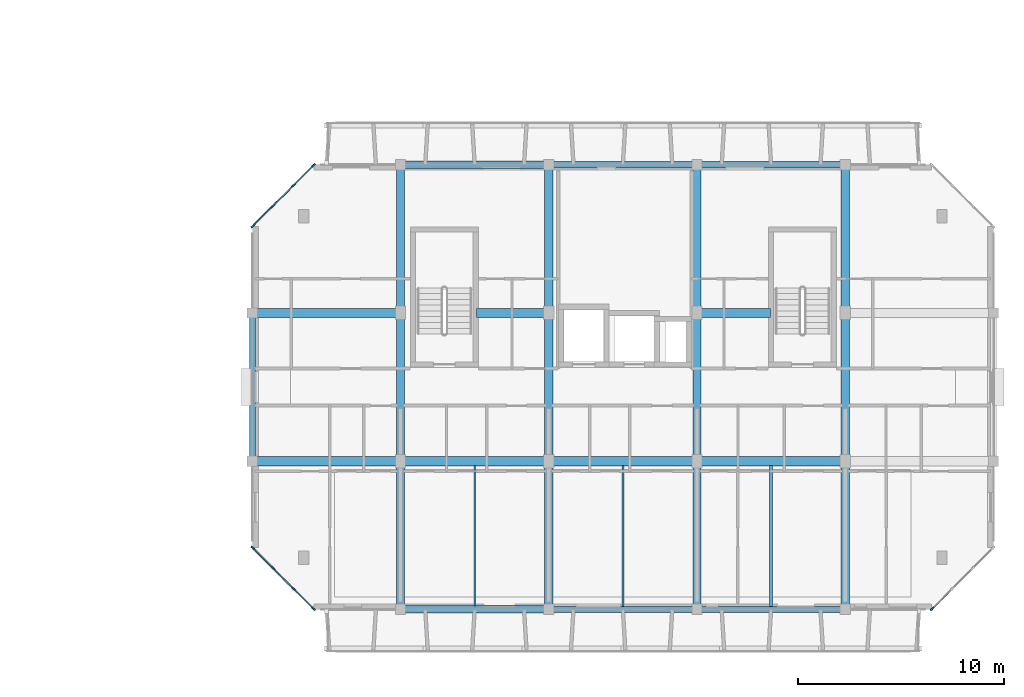
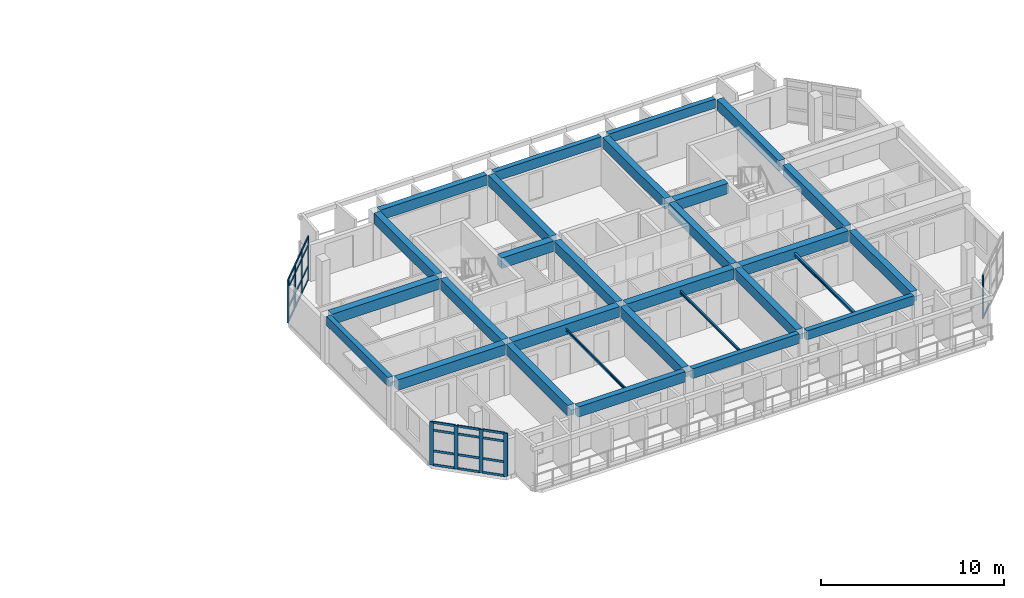
# One storey, part 7 of 46: 34 members, 29 beams, 3 elements without a shape of their own.
"""IFC4 building model written with IfcOpenShell, lengths in metres."""

from ifc_helpers import new_model, si_unit, direction, frame, origin, origin_2d, place, context, subcontext, project, spatial, rectangle, i_section, u_section, extrude, material, layer, layer_set, material_profile, profile_set, type_object, element, aggregate, save


model = new_model("IFC4")

# Units and contexts
model_context = context("Model", 3, precision=1e-05, world=origin(), true_north=direction((0.0, 1.0)))
body_context = subcontext(model_context, "Body", "Model", "MODEL_VIEW")
ifc_project = project(units=[si_unit("LENGTHUNIT", "METRE"), si_unit("AREAUNIT", "SQUARE_METRE"), si_unit("VOLUMEUNIT", "CUBIC_METRE"), si_unit("PLANEANGLEUNIT", "RADIAN"), si_unit("MASSUNIT", "GRAM", prefix="KILO")], contexts=[model_context])

# Site, building, storey
site_placement = place(None, origin())
site = spatial("IfcSite", under=ifc_project, at=site_placement, CompositionType="ELEMENT")
building_placement = place(site_placement, origin())
building = spatial("IfcBuilding", under=site, at=building_placement, Name="Ochrevale Crest", CompositionType="ELEMENT")
storey_placement = place(building_placement, frame((0.0, 0.0, 24.449951171875)))
storey = spatial("IfcBuildingStorey", under=building, at=storey_placement, Name="L07", CompositionType="ELEMENT", Elevation=24.449951171875)

# Beams
ifc_material_1 = material(Name="Precast concrete C50/60", Category="concrete")
ifc_material_profile_1 = material_profile(ifc_material_1, rectangle(XDim=0.39990234375, YDim=0.699951171875, at=origin_2d()), Name="PC 400x700")
ifc_profile_set_1 = profile_set([ifc_material_profile_1], Name="Precast concrete C50/60")
beam_type_1 = type_object("IfcBeamType", Name="BM-PC400x700", PredefinedType="BEAM", material=ifc_profile_set_1)
beam_1_placement = place(storey_placement, frame((136.800048828125, 14.6298828125, 2.800048828125), z_axis=(0.0, 1.0, 0.0), x_axis=(-1.0, 0.0, 0.0)))
element("IfcBeam", 1, at=beam_1_placement, inside=storey, type_object=beam_type_1, Name="Block C L07 N-S beam X=136.8", PredefinedType="BEAM", context=body_context, shape_type="SweptSolid", body=[
    extrude(rectangle(XDim=0.39990234375, YDim=0.699951171875, at=origin_2d()), origin(), (0.0, 0.0, 1.0), 6.740234375),
])
for number, where, z_axis, x_axis, name in (
    (2, (136.800048828125, 21.830078125, 2.800048828125), (0.0, 1.0, 0.0), (-1.0, 0.0, 0.0), "Block C L07 N-S beam X=136.8"),
    (3, (136.800048828125, 29.030029296875, 2.800048828125), (0.0, 1.0, 0.0), (-1.0, 0.0, 0.0), "Block C L07 N-S beam X=136.8"),
):
    element("IfcBeam", number, at=place(storey_placement, frame(where, z_axis=z_axis, x_axis=x_axis)), inside=storey, type_object=beam_type_1, Name=name, PredefinedType="BEAM", context=body_context, shape_type="SweptSolid", body=[
        extrude(rectangle(XDim=0.39990234375, YDim=0.699951171875, at=origin_2d()), origin(), (0.0, 0.0, 1.0), 6.739990234375),
    ])
beam_2_placement = place(storey_placement, frame((144.0, 14.6298828125, 2.800048828125), z_axis=(0.0, 1.0, 0.0), x_axis=(-1.0, 0.0, 0.0)))
element("IfcBeam", 4, at=beam_2_placement, inside=storey, type_object=beam_type_1, Name="Block C L07 N-S beam X=144.0", PredefinedType="BEAM", context=body_context, shape_type="SweptSolid", body=[
    extrude(rectangle(XDim=0.39990234375, YDim=0.699951171875, at=origin_2d()), origin(), (0.0, 0.0, 1.0), 6.740234375),
])
for number, where, z_axis, x_axis, name in (
    (5, (144.0, 21.830078125, 2.800048828125), (0.0, 1.0, 0.0), (-1.0, 0.0, 0.0), "Block C L07 N-S beam X=144.0"),
    (6, (144.0, 29.030029296875, 2.800048828125), (0.0, 1.0, 0.0), (-1.0, 0.0, 0.0), "Block C L07 N-S beam X=144.0"),
):
    element("IfcBeam", number, at=place(storey_placement, frame(where, z_axis=z_axis, x_axis=x_axis)), inside=storey, type_object=beam_type_1, Name=name, PredefinedType="BEAM", context=body_context, shape_type="SweptSolid", body=[
        extrude(rectangle(XDim=0.39990234375, YDim=0.699951171875, at=origin_2d()), origin(), (0.0, 0.0, 1.0), 6.739990234375),
    ])
beam_3_placement = place(storey_placement, frame((151.199951171875, 14.6298828125, 2.800048828125), z_axis=(0.0, 1.0, 0.0), x_axis=(-1.0, 0.0, 0.0)))
element("IfcBeam", 7, at=beam_3_placement, inside=storey, type_object=beam_type_1, Name="Block C L07 N-S beam X=151.2", PredefinedType="BEAM", context=body_context, shape_type="SweptSolid", body=[
    extrude(rectangle(XDim=0.39990234375, YDim=0.699951171875, at=origin_2d()), origin(), (0.0, 0.0, 1.0), 6.740234375),
])
for number, where, z_axis, x_axis, name in (
    (8, (151.199951171875, 21.830078125, 2.800048828125), (0.0, 1.0, 0.0), (-1.0, 0.0, 0.0), "Block C L07 N-S beam X=151.2"),
    (9, (151.199951171875, 29.030029296875, 2.800048828125), (0.0, 1.0, 0.0), (-1.0, 0.0, 0.0), "Block C L07 N-S beam X=151.2"),
):
    element("IfcBeam", number, at=place(storey_placement, frame(where, z_axis=z_axis, x_axis=x_axis)), inside=storey, type_object=beam_type_1, Name=name, PredefinedType="BEAM", context=body_context, shape_type="SweptSolid", body=[
        extrude(rectangle(XDim=0.39990234375, YDim=0.699951171875, at=origin_2d()), origin(), (0.0, 0.0, 1.0), 6.739990234375),
    ])
beam_4_placement = place(storey_placement, frame((158.39990234375, 14.6298828125, 2.800048828125), z_axis=(0.0, 1.0, 0.0), x_axis=(-1.0, 0.0, 0.0)))
element("IfcBeam", 10, at=beam_4_placement, inside=storey, type_object=beam_type_1, Name="Block C L07 N-S beam X=158.4", PredefinedType="BEAM", context=body_context, shape_type="SweptSolid", body=[
    extrude(rectangle(XDim=0.39990234375, YDim=0.699951171875, at=origin_2d()), origin(), (0.0, 0.0, 1.0), 6.740234375),
])
for number, where, z_axis, x_axis, name in (
    (11, (158.39990234375, 21.830078125, 2.800048828125), (0.0, 1.0, 0.0), (-1.0, 0.0, 0.0), "Block C L07 N-S beam X=158.4"),
    (12, (158.39990234375, 29.030029296875, 2.800048828125), (0.0, 1.0, 0.0), (-1.0, 0.0, 0.0), "Block C L07 N-S beam X=158.4"),
):
    element("IfcBeam", number, at=place(storey_placement, frame(where, z_axis=z_axis, x_axis=x_axis)), inside=storey, type_object=beam_type_1, Name=name, PredefinedType="BEAM", context=body_context, shape_type="SweptSolid", body=[
        extrude(rectangle(XDim=0.39990234375, YDim=0.699951171875, at=origin_2d()), origin(), (0.0, 0.0, 1.0), 6.739990234375),
    ])
ifc_material_2 = material(Name="Steel S355", Category="steel")
ifc_material_profile_2 = material_profile(ifc_material_2, u_section(Depth=0.199951171875, FlangeWidth=0.074951171875, WebThickness=0.006103515625, FlangeThickness=0.011962890625, FilletRadius=0.011962890625, at=origin_2d()), Name="200PFC")
ifc_profile_set_2 = profile_set([ifc_material_profile_2], Name="Steel S355")
beam_type_2 = type_object("IfcBeamType", Name="BM-PFC200", PredefinedType="JOIST", material=ifc_profile_set_2)
beam_5_placement = place(storey_placement, frame((140.39990234375, 14.56298828125, 2.775146484375), z_axis=(0.0, 1.0, 0.0), x_axis=(-1.0, 0.0, 0.0)))
element("IfcBeam", 13, at=beam_5_placement, inside=storey, type_object=beam_type_2, Name="Block C L07 composite plank trimmer beam 2", PredefinedType="JOIST", context=body_context, shape_type="SweptSolid", body=[
    extrude(u_section(Depth=0.199951171875, FlangeWidth=0.074951171875, WebThickness=0.006103515625, FlangeThickness=0.011962890625, FilletRadius=0.011962890625, at=origin_2d()), origin(), (0.0, 0.0, 1.0), 6.823974609375),
])
ifc_material_3 = material(Name="Concrete C50/60", Category="concrete")
ifc_material_profile_3 = material_profile(ifc_material_3, rectangle(XDim=0.449951171875, YDim=0.699951171875, at=origin_2d()), Name="RC 450x700")
ifc_profile_set_3 = profile_set([ifc_material_profile_3], Name="Concrete C50/60")
beam_type_3 = type_object("IfcBeamType", Name="BM-PG450x700", PredefinedType="USERDEFINED", material=ifc_profile_set_3)
for number, where, z_axis, x_axis, name in (
    (14, (129.824951171875, 21.60009765625, 2.800048828125), (1.0, 0.0, 0.0), (0.0, 1.0, 0.0), "Block C L07 E-W beam Y=21.6"),
    (15, (137.02490234375, 21.60009765625, 2.800048828125), (1.0, 0.0, 0.0), (0.0, 1.0, 0.0), "Block C L07 E-W beam Y=21.6"),
    (16, (144.22509765625, 21.60009765625, 2.800048828125), (1.0, 0.0, 0.0), (0.0, 1.0, 0.0), "Block C L07 E-W beam Y=21.6"),
    (17, (151.425048828125, 21.60009765625, 2.800048828125), (1.0, 0.0, 0.0), (0.0, 1.0, 0.0), "Block C L07 E-W beam Y=21.6"),
    (18, (129.824951171875, 28.800048828125, 2.800048828125), (1.0, 0.0, 0.0), (0.0, 1.0, 0.0), "Block C L07 E-W beam Y=28.8"),
):
    element("IfcBeam", number, at=place(storey_placement, frame(where, z_axis=z_axis, x_axis=x_axis)), inside=storey, type_object=beam_type_3, Name=name, ObjectType="GIRDER", PredefinedType="USERDEFINED", context=body_context, shape_type="SweptSolid", body=[
        extrude(rectangle(XDim=0.449951171875, YDim=0.699951171875, at=origin_2d()), origin(), (0.0, 0.0, 1.0), 6.75),
    ])
beam_6_placement = place(storey_placement, frame((140.489990234375, 28.800048828125, 2.800048828125), z_axis=(1.0, 0.0, 0.0), x_axis=(0.0, 1.0, 0.0)))
element("IfcBeam", 19, at=beam_6_placement, inside=storey, type_object=beam_type_3, Name="Block C L07 E-W beam Y=28.8", ObjectType="GIRDER", PredefinedType="USERDEFINED", context=body_context, shape_type="SweptSolid", body=[
    extrude(rectangle(XDim=0.449951171875, YDim=0.699951171875, at=origin_2d()), origin(), (0.0, 0.0, 1.0), 3.284912109375),
])
beam_7_placement = place(storey_placement, frame((151.425048828125, 28.800048828125, 2.800048828125), z_axis=(1.0, 0.0, 0.0), x_axis=(0.0, 1.0, 0.0)))
element("IfcBeam", 20, at=beam_7_placement, inside=storey, type_object=beam_type_3, Name="Block C L07 E-W beam Y=28.8", ObjectType="GIRDER", PredefinedType="USERDEFINED", context=body_context, shape_type="SweptSolid", body=[
    extrude(rectangle(XDim=0.449951171875, YDim=0.699951171875, at=origin_2d()), origin(), (0.0, 0.0, 1.0), 3.3349609375),
])
ifc_material_4 = material(Name="Precast concrete C40/50", Category="concrete")
ifc_material_profile_4 = material_profile(ifc_material_4, rectangle(XDim=0.300048828125, YDim=0.60009765625, at=origin_2d()), Name="PC 300x600")
ifc_profile_set_4 = profile_set([ifc_material_profile_4], Name="Precast concrete C40/50")
beam_type_4 = type_object("IfcBeamType", Name="BM-SP300x600", PredefinedType="SPANDREL", material=ifc_profile_set_4)
for number, where, z_axis, x_axis, name in (
    (21, (151.425048828125, 14.39990234375, 2.85009765625), (1.0, 0.0, 0.0), (0.0, 1.0, 0.0), "Block C L07 E-W beam Y=14.4"),
    (22, (151.425048828125, 36.0, 2.85009765625), (1.0, 0.0, 0.0), (0.0, 1.0, 0.0), "Block C L07 E-W beam Y=36.0"),
):
    element("IfcBeam", number, at=place(storey_placement, frame(where, z_axis=z_axis, x_axis=x_axis)), inside=storey, type_object=beam_type_4, Name=name, PredefinedType="SPANDREL", context=body_context, shape_type="SweptSolid", body=[
        extrude(rectangle(XDim=0.300048828125, YDim=0.60009765625, at=origin_2d()), origin(), (0.0, 0.0, 1.0), 6.75),
    ])
beam_8_placement = place(storey_placement, frame((129.60009765625, 21.830078125, 2.85009765625), z_axis=(0.0, 1.0, 0.0), x_axis=(-1.0, 0.0, 0.0)))
element("IfcBeam", 23, at=beam_8_placement, inside=storey, type_object=beam_type_4, Name="Block C L07 N-S beam X=129.6", PredefinedType="SPANDREL", context=body_context, shape_type="SweptSolid", body=[
    extrude(rectangle(XDim=0.300048828125, YDim=0.60009765625, at=origin_2d()), origin(), (0.0, 0.0, 1.0), 6.739990234375),
])
ifc_material_profile_5 = material_profile(ifc_material_4, rectangle(XDim=0.300048828125, YDim=0.64990234375, at=origin_2d()), Name="PC 300x650")
ifc_profile_set_5 = profile_set([ifc_material_profile_5], Name="Precast concrete C40/50")
beam_type_5 = type_object("IfcBeamType", Name="BM-SP300x650", PredefinedType="SPANDREL", material=ifc_profile_set_5)
for number, where, z_axis, x_axis, name in (
    (24, (144.22509765625, 14.39990234375, 2.824951171875), (1.0, 0.0, 0.0), (0.0, 1.0, 0.0), "Block C L07 E-W beam Y=14.4"),
    (25, (144.22509765625, 36.0, 2.824951171875), (1.0, 0.0, 0.0), (0.0, 1.0, 0.0), "Block C L07 E-W beam Y=36.0"),
):
    element("IfcBeam", number, at=place(storey_placement, frame(where, z_axis=z_axis, x_axis=x_axis)), inside=storey, type_object=beam_type_5, Name=name, PredefinedType="SPANDREL", context=body_context, shape_type="SweptSolid", body=[
        extrude(rectangle(XDim=0.300048828125, YDim=0.64990234375, at=origin_2d()), origin(), (0.0, 0.0, 1.0), 6.75),
    ])
ifc_material_profile_6 = material_profile(ifc_material_4, rectangle(XDim=0.35009765625, YDim=0.679931640625, at=origin_2d()), Name="PC 350x680")
ifc_profile_set_6 = profile_set([ifc_material_profile_6], Name="Precast concrete C40/50")
beam_type_6 = type_object("IfcBeamType", Name="BM-SP350x680", PredefinedType="SPANDREL", material=ifc_profile_set_6)
for number, where, z_axis, x_axis, name in (
    (26, (137.02490234375, 14.39990234375, 2.81005859375), (1.0, 0.0, 0.0), (0.0, 1.0, 0.0), "Block C L07 E-W beam Y=14.4"),
    (27, (137.02490234375, 36.0, 2.81005859375), (1.0, 0.0, 0.0), (0.0, 1.0, 0.0), "Block C L07 E-W beam Y=36.0"),
):
    element("IfcBeam", number, at=place(storey_placement, frame(where, z_axis=z_axis, x_axis=x_axis)), inside=storey, type_object=beam_type_6, Name=name, PredefinedType="SPANDREL", context=body_context, shape_type="SweptSolid", body=[
        extrude(rectangle(XDim=0.35009765625, YDim=0.679931640625, at=origin_2d()), origin(), (0.0, 0.0, 1.0), 6.75),
    ])
ifc_material_profile_7 = material_profile(ifc_material_2, i_section(OverallWidth=0.090087890625, OverallDepth=0.1787109375, WebThickness=0.006103515625, FlangeThickness=0.010009765625, FilletRadius=0.0087890625, at=origin_2d()), Name="180UB22.2")
ifc_profile_set_7 = profile_set([ifc_material_profile_7], Name="Steel S355")
beam_type_7 = type_object("IfcBeamType", Name="BM-UB180", PredefinedType="JOIST", material=ifc_profile_set_7)
beam_9_placement = place(storey_placement, frame((147.60009765625, 14.5380859375, 2.78564453125), z_axis=(0.0, 1.0, 0.0), x_axis=(-1.0, 0.0, 0.0)))
element("IfcBeam", 28, at=beam_9_placement, inside=storey, type_object=beam_type_7, Name="Block C L07 composite plank trimmer beam 3", PredefinedType="JOIST", context=body_context, shape_type="SweptSolid", body=[
    extrude(i_section(OverallWidth=0.090087890625, OverallDepth=0.1787109375, WebThickness=0.006103515625, FlangeThickness=0.010009765625, FilletRadius=0.0087890625, at=origin_2d()), origin(), (0.0, 0.0, 1.0), 6.848876953125),
])
ifc_material_profile_8 = material_profile(ifc_material_2, i_section(OverallWidth=0.13330078125, OverallDepth=0.203125, WebThickness=0.005859375, FlangeThickness=0.0078125, FilletRadius=0.0087890625, at=origin_2d()), Name="200UB25.4")
ifc_profile_set_8 = profile_set([ifc_material_profile_8], Name="Steel S355")
beam_type_8 = type_object("IfcBeamType", Name="BM-UB200A", PredefinedType="JOIST", material=ifc_profile_set_8)
beam_10_placement = place(storey_placement, frame((154.800048828125, 14.5380859375, 2.7734375), z_axis=(0.0, 1.0, 0.0), x_axis=(-1.0, 0.0, 0.0)))
element("IfcBeam", 29, at=beam_10_placement, inside=storey, type_object=beam_type_8, Name="Block C L07 composite plank trimmer beam 4", PredefinedType="JOIST", context=body_context, shape_type="SweptSolid", body=[
    extrude(i_section(OverallWidth=0.13330078125, OverallDepth=0.203125, WebThickness=0.005859375, FlangeThickness=0.0078125, FilletRadius=0.0087890625, at=origin_2d()), origin(), (0.0, 0.0, 1.0), 6.848876953125),
])

# Curtain wall, member
ifc_material_5 = material(Name="Anodised aluminium 6063-T5", Category="aluminium")
ifc_layer_1 = layer(ifc_material_5, 0.14990234375)
ifc_layer_set_1 = layer_set([ifc_layer_1], Name="Anodised aluminium 6063-T5")
curtain_wall_type_1 = type_object("IfcCurtainWallType", Name="CW-WG-420x285", PredefinedType="NOTDEFINED", material=ifc_layer_set_1)
curtain_wall_1_placement = place(storey_placement, origin())
curtain_wall_1 = element("IfcCurtainWall", 30, at=curtain_wall_1_placement, inside=storey, type_object=curtain_wall_type_1, Name="Block C L07 chamfered corner wintergarden curtain wall 2", PredefinedType="NOTDEFINED")
ifc_material_profile_9 = material_profile(ifc_material_5, rectangle(XDim=0.074951171875, YDim=0.219970703125, at=origin_2d()), Name="ALU 75x220")
ifc_profile_set_9 = profile_set([ifc_material_profile_9], Name="Anodised aluminium 6063-T5")
member_type_1 = type_object("IfcMemberType", Name="CW-MUL-75x220", PredefinedType="MULLION", material=ifc_profile_set_9)
member_1_placement = place(storey_placement, frame((162.62646484375, 14.426513671875, 0.0), z_axis=(0.0, 0.0, 1.0), x_axis=(-0.707106781187, 0.707106781187, 0.0)))
member_1 = element("IfcMember", 31, at=member_1_placement, type_object=member_type_1, Name="CW22 mullion 1", PredefinedType="MULLION", context=body_context, shape_type="SweptSolid", body=[
    extrude(rectangle(XDim=0.074951171875, YDim=0.219970703125, at=origin_2d()), origin(), (0.0, 0.0, 1.0), 2.875),
])

# Curtain wall, members
ifc_layer_2 = layer(ifc_material_5, 0.14990234375)
ifc_layer_set_2 = layer_set([ifc_layer_2], Name="Anodised aluminium 6063-T5")
curtain_wall_type_2 = type_object("IfcCurtainWallType", Name="CW-WG-360x285", PredefinedType="NOTDEFINED", material=ifc_layer_set_2)
curtain_wall_2_placement = place(storey_placement, origin())
curtain_wall_2 = element("IfcCurtainWall", 32, at=curtain_wall_2_placement, inside=storey, type_object=curtain_wall_type_2, Name="Block C L07 chamfered corner wintergarden curtain wall 6", PredefinedType="NOTDEFINED")
member_2_placement = place(storey_placement, frame((132.573486328125, 35.973388671875, 0.0), z_axis=(0.0, 0.0, 1.0), x_axis=(0.707106781187, -0.707106781187, 0.0)))
member_2 = element("IfcMember", 33, at=member_2_placement, type_object=member_type_1, Name="CW18 mullion 1", PredefinedType="MULLION", context=body_context, shape_type="SweptSolid", body=[
    extrude(rectangle(XDim=0.074951171875, YDim=0.219970703125, at=origin_2d()), origin(), (0.0, 0.0, 1.0), 2.875),
])
member_3_placement = place(storey_placement, frame((131.60009765625, 35.0, 0.0), z_axis=(0.0, 0.0, 1.0), x_axis=(0.707106781187, -0.707106781187, 0.0)))
member_3 = element("IfcMember", 34, at=member_3_placement, type_object=member_type_1, Name="CW18 mullion 2", PredefinedType="MULLION", context=body_context, shape_type="SweptSolid", body=[
    extrude(rectangle(XDim=0.074951171875, YDim=0.219970703125, at=origin_2d()), origin(), (0.0, 0.0, 1.0), 2.875),
])
member_4_placement = place(storey_placement, frame((130.60009765625, 34.0, 0.0), z_axis=(0.0, 0.0, 1.0), x_axis=(0.707106781187, -0.707106781187, 0.0)))
member_4 = element("IfcMember", 35, at=member_4_placement, type_object=member_type_1, Name="CW18 mullion 3", PredefinedType="MULLION", context=body_context, shape_type="SweptSolid", body=[
    extrude(rectangle(XDim=0.074951171875, YDim=0.219970703125, at=origin_2d()), origin(), (0.0, 0.0, 1.0), 2.875),
])
member_5_placement = place(storey_placement, frame((129.62646484375, 33.026611328125, 0.0), z_axis=(0.0, 0.0, 1.0), x_axis=(0.707106781187, -0.707106781187, 0.0)))
member_5 = element("IfcMember", 36, at=member_5_placement, type_object=member_type_1, Name="CW18 mullion 4", PredefinedType="MULLION", context=body_context, shape_type="SweptSolid", body=[
    extrude(rectangle(XDim=0.074951171875, YDim=0.219970703125, at=origin_2d()), origin(), (0.0, 0.0, 1.0), 2.875),
])

ifc_layer_3 = layer(ifc_material_5, 0.14990234375)
ifc_layer_set_3 = layer_set([ifc_layer_3], Name="Anodised aluminium 6063-T5")
curtain_wall_type_3 = type_object("IfcCurtainWallType", Name="CW-WG-240x285", PredefinedType="NOTDEFINED", material=ifc_layer_set_3)
curtain_wall_3_placement = place(storey_placement, origin())
curtain_wall_3 = element("IfcCurtainWall", 37, at=curtain_wall_3_placement, inside=storey, type_object=curtain_wall_type_3, Name="Block C L07 chamfered corner wintergarden curtain wall 8", PredefinedType="NOTDEFINED")
member_6_placement = place(storey_placement, frame((129.62646484375, 17.37353515625, 0.0), z_axis=(0.0, 0.0, 1.0), x_axis=(0.707106781187, 0.707106781187, 0.0)))
member_6 = element("IfcMember", 38, at=member_6_placement, type_object=member_type_1, Name="CW15 mullion 1", PredefinedType="MULLION", context=body_context, shape_type="SweptSolid", body=[
    extrude(rectangle(XDim=0.074951171875, YDim=0.219970703125, at=origin_2d()), origin(), (0.0, 0.0, 1.0), 2.875),
])
member_7_placement = place(storey_placement, frame((130.60009765625, 16.39990234375, 0.0), z_axis=(0.0, 0.0, 1.0), x_axis=(0.707106781187, 0.707106781187, 0.0)))
member_7 = element("IfcMember", 39, at=member_7_placement, type_object=member_type_1, Name="CW15 mullion 2", PredefinedType="MULLION", context=body_context, shape_type="SweptSolid", body=[
    extrude(rectangle(XDim=0.074951171875, YDim=0.219970703125, at=origin_2d()), origin(), (0.0, 0.0, 1.0), 2.875),
])
member_8_placement = place(storey_placement, frame((131.60009765625, 15.39990234375, 0.0), z_axis=(0.0, 0.0, 1.0), x_axis=(0.707106781187, 0.707106781187, 0.0)))
member_8 = element("IfcMember", 40, at=member_8_placement, type_object=member_type_1, Name="CW15 mullion 3", PredefinedType="MULLION", context=body_context, shape_type="SweptSolid", body=[
    extrude(rectangle(XDim=0.074951171875, YDim=0.219970703125, at=origin_2d()), origin(), (0.0, 0.0, 1.0), 2.875),
])
member_9_placement = place(storey_placement, frame((132.573486328125, 14.426513671875, 0.0), z_axis=(0.0, 0.0, 1.0), x_axis=(0.707106781187, 0.707106781187, 0.0)))
member_9 = element("IfcMember", 41, at=member_9_placement, type_object=member_type_1, Name="CW15 mullion 4", PredefinedType="MULLION", context=body_context, shape_type="SweptSolid", body=[
    extrude(rectangle(XDim=0.074951171875, YDim=0.219970703125, at=origin_2d()), origin(), (0.0, 0.0, 1.0), 2.875),
])

# Member
ifc_material_profile_10 = material_profile(ifc_material_5, rectangle(XDim=0.06005859375, YDim=0.14990234375, at=origin_2d()), Name="ALU 60x150")
ifc_profile_set_10 = profile_set([ifc_material_profile_10], Name="Anodised aluminium 6063-T5")
member_type_2 = type_object("IfcMemberType", Name="CW-TRN-60x150", PredefinedType="USERDEFINED", material=ifc_profile_set_10)
member_10_placement = place(storey_placement, frame((162.653076171875, 14.453125, 0.030029296875), z_axis=(0.707106781187, 0.707106781187, 0.0), x_axis=(-0.707106781187, 0.707106781187, 0.0)))
member_10 = element("IfcMember", 42, at=member_10_placement, type_object=member_type_2, Name="CW22 transom 1.1", ObjectType="TRANSOM", PredefinedType="USERDEFINED", context=body_context, shape_type="SweptSolid", body=[
    extrude(rectangle(XDim=0.06005859375, YDim=0.14990234375, at=origin_2d()), origin(), (0.0, 0.0, 1.0), 1.3017578125),
])

aggregate(curtain_wall_1, [member_1, member_10])

member_11_placement = place(storey_placement, frame((132.546875, 35.947021484375, 0.030029296875), z_axis=(-0.707106781187, -0.707106781187, 0.0), x_axis=(0.707106781187, -0.707106781187, 0.0)))
member_11 = element("IfcMember", 43, at=member_11_placement, type_object=member_type_2, Name="CW18 transom 1.1", ObjectType="TRANSOM", PredefinedType="USERDEFINED", context=body_context, shape_type="SweptSolid", body=[
    extrude(rectangle(XDim=0.06005859375, YDim=0.14990234375, at=origin_2d()), origin(), (0.0, 0.0, 1.0), 1.3017578125),
])

member_12_placement = place(storey_placement, frame((132.546875, 35.947021484375, 0.949951171875), z_axis=(-0.707106781187, -0.707106781187, 0.0), x_axis=(0.707106781187, -0.707106781187, 0.0)))
member_12 = element("IfcMember", 44, at=member_12_placement, type_object=member_type_2, Name="CW18 transom 1.2", ObjectType="TRANSOM", PredefinedType="USERDEFINED", context=body_context, shape_type="SweptSolid", body=[
    extrude(rectangle(XDim=0.06005859375, YDim=0.14990234375, at=origin_2d()), origin(), (0.0, 0.0, 1.0), 1.3017578125),
])

member_13_placement = place(storey_placement, frame((132.546875, 35.947021484375, 2.324951171875), z_axis=(-0.707106781187, -0.707106781187, 0.0), x_axis=(0.707106781187, -0.707106781187, 0.0)))
member_13 = element("IfcMember", 45, at=member_13_placement, type_object=member_type_2, Name="CW18 transom 1.3", ObjectType="TRANSOM", PredefinedType="USERDEFINED", context=body_context, shape_type="SweptSolid", body=[
    extrude(rectangle(XDim=0.06005859375, YDim=0.14990234375, at=origin_2d()), origin(), (0.0, 0.0, 1.0), 1.3017578125),
])

member_14_placement = place(storey_placement, frame((132.546875, 35.947021484375, 2.844970703125), z_axis=(-0.707106781187, -0.707106781187, 0.0), x_axis=(0.707106781187, -0.707106781187, 0.0)))
member_14 = element("IfcMember", 46, at=member_14_placement, type_object=member_type_2, Name="CW18 transom 1.4", ObjectType="TRANSOM", PredefinedType="USERDEFINED", context=body_context, shape_type="SweptSolid", body=[
    extrude(rectangle(XDim=0.06005859375, YDim=0.14990234375, at=origin_2d()), origin(), (0.0, 0.0, 1.0), 1.3017578125),
])

member_15_placement = place(storey_placement, frame((131.573486328125, 34.973388671875, 0.030029296875), z_axis=(-0.707197932559, -0.707015618062, 0.0), x_axis=(0.707015618062, -0.707197932559, 0.0)))
member_15 = element("IfcMember", 47, at=member_15_placement, type_object=member_type_2, Name="CW18 transom 2.1", ObjectType="TRANSOM", PredefinedType="USERDEFINED", context=body_context, shape_type="SweptSolid", body=[
    extrude(rectangle(XDim=0.06005859375, YDim=0.14990234375, at=origin_2d()), origin(), (0.0, 0.0, 1.0), 1.339111328125),
])

member_16_placement = place(storey_placement, frame((131.573486328125, 34.973388671875, 0.949951171875), z_axis=(-0.707197932559, -0.707015618062, 0.0), x_axis=(0.707015618062, -0.707197932559, 0.0)))
member_16 = element("IfcMember", 48, at=member_16_placement, type_object=member_type_2, Name="CW18 transom 2.2", ObjectType="TRANSOM", PredefinedType="USERDEFINED", context=body_context, shape_type="SweptSolid", body=[
    extrude(rectangle(XDim=0.06005859375, YDim=0.14990234375, at=origin_2d()), origin(), (0.0, 0.0, 1.0), 1.339111328125),
])

member_17_placement = place(storey_placement, frame((131.573486328125, 34.973388671875, 2.324951171875), z_axis=(-0.707197932559, -0.707015618062, 0.0), x_axis=(0.707015618062, -0.707197932559, 0.0)))
member_17 = element("IfcMember", 49, at=member_17_placement, type_object=member_type_2, Name="CW18 transom 2.3", ObjectType="TRANSOM", PredefinedType="USERDEFINED", context=body_context, shape_type="SweptSolid", body=[
    extrude(rectangle(XDim=0.06005859375, YDim=0.14990234375, at=origin_2d()), origin(), (0.0, 0.0, 1.0), 1.339111328125),
])

member_18_placement = place(storey_placement, frame((131.573486328125, 34.973388671875, 2.844970703125), z_axis=(-0.707197932559, -0.707015618062, 0.0), x_axis=(0.707015618062, -0.707197932559, 0.0)))
member_18 = element("IfcMember", 50, at=member_18_placement, type_object=member_type_2, Name="CW18 transom 2.4", ObjectType="TRANSOM", PredefinedType="USERDEFINED", context=body_context, shape_type="SweptSolid", body=[
    extrude(rectangle(XDim=0.06005859375, YDim=0.14990234375, at=origin_2d()), origin(), (0.0, 0.0, 1.0), 1.339111328125),
])

member_19_placement = place(storey_placement, frame((130.573486328125, 33.973388671875, 0.030029296875), z_axis=(-0.707106781187, -0.707106781187, 0.0), x_axis=(0.707106781187, -0.707106781187, 0.0)))
member_19 = element("IfcMember", 51, at=member_19_placement, type_object=member_type_2, Name="CW18 transom 3.1", ObjectType="TRANSOM", PredefinedType="USERDEFINED", context=body_context, shape_type="SweptSolid", body=[
    extrude(rectangle(XDim=0.06005859375, YDim=0.14990234375, at=origin_2d()), origin(), (0.0, 0.0, 1.0), 1.3017578125),
])

member_20_placement = place(storey_placement, frame((130.573486328125, 33.973388671875, 0.949951171875), z_axis=(-0.707106781187, -0.707106781187, 0.0), x_axis=(0.707106781187, -0.707106781187, 0.0)))
member_20 = element("IfcMember", 52, at=member_20_placement, type_object=member_type_2, Name="CW18 transom 3.2", ObjectType="TRANSOM", PredefinedType="USERDEFINED", context=body_context, shape_type="SweptSolid", body=[
    extrude(rectangle(XDim=0.06005859375, YDim=0.14990234375, at=origin_2d()), origin(), (0.0, 0.0, 1.0), 1.3017578125),
])

member_21_placement = place(storey_placement, frame((130.573486328125, 33.973388671875, 2.324951171875), z_axis=(-0.707106781187, -0.707106781187, 0.0), x_axis=(0.707106781187, -0.707106781187, 0.0)))
member_21 = element("IfcMember", 53, at=member_21_placement, type_object=member_type_2, Name="CW18 transom 3.3", ObjectType="TRANSOM", PredefinedType="USERDEFINED", context=body_context, shape_type="SweptSolid", body=[
    extrude(rectangle(XDim=0.06005859375, YDim=0.14990234375, at=origin_2d()), origin(), (0.0, 0.0, 1.0), 1.3017578125),
])

member_22_placement = place(storey_placement, frame((130.573486328125, 33.973388671875, 2.844970703125), z_axis=(-0.707106781187, -0.707106781187, 0.0), x_axis=(0.707106781187, -0.707106781187, 0.0)))
member_22 = element("IfcMember", 54, at=member_22_placement, type_object=member_type_2, Name="CW18 transom 3.4", ObjectType="TRANSOM", PredefinedType="USERDEFINED", context=body_context, shape_type="SweptSolid", body=[
    extrude(rectangle(XDim=0.06005859375, YDim=0.14990234375, at=origin_2d()), origin(), (0.0, 0.0, 1.0), 1.3017578125),
])

aggregate(curtain_wall_2, [member_2, member_3, member_4, member_5, member_11, member_12, member_13, member_14, member_15, member_16, member_17, member_18, member_19, member_20, member_21, member_22])

member_23_placement = place(storey_placement, frame((129.653076171875, 17.346923828125, 0.030029296875), z_axis=(0.707106781187, -0.707106781187, 0.0), x_axis=(0.707106781187, 0.707106781187, 0.0)))
member_23 = element("IfcMember", 55, at=member_23_placement, type_object=member_type_2, Name="CW15 transom 1.1", ObjectType="TRANSOM", PredefinedType="USERDEFINED", context=body_context, shape_type="SweptSolid", body=[
    extrude(rectangle(XDim=0.06005859375, YDim=0.14990234375, at=origin_2d()), origin(), (0.0, 0.0, 1.0), 1.3017578125),
])

member_24_placement = place(storey_placement, frame((129.653076171875, 17.346923828125, 0.949951171875), z_axis=(0.707106781187, -0.707106781187, 0.0), x_axis=(0.707106781187, 0.707106781187, 0.0)))
member_24 = element("IfcMember", 56, at=member_24_placement, type_object=member_type_2, Name="CW15 transom 1.2", ObjectType="TRANSOM", PredefinedType="USERDEFINED", context=body_context, shape_type="SweptSolid", body=[
    extrude(rectangle(XDim=0.06005859375, YDim=0.14990234375, at=origin_2d()), origin(), (0.0, 0.0, 1.0), 1.3017578125),
])

member_25_placement = place(storey_placement, frame((129.653076171875, 17.346923828125, 2.324951171875), z_axis=(0.707106781187, -0.707106781187, 0.0), x_axis=(0.707106781187, 0.707106781187, 0.0)))
member_25 = element("IfcMember", 57, at=member_25_placement, type_object=member_type_2, Name="CW15 transom 1.3", ObjectType="TRANSOM", PredefinedType="USERDEFINED", context=body_context, shape_type="SweptSolid", body=[
    extrude(rectangle(XDim=0.06005859375, YDim=0.14990234375, at=origin_2d()), origin(), (0.0, 0.0, 1.0), 1.3017578125),
])

member_26_placement = place(storey_placement, frame((129.653076171875, 17.346923828125, 2.844970703125), z_axis=(0.707106781187, -0.707106781187, 0.0), x_axis=(0.707106781187, 0.707106781187, 0.0)))
member_26 = element("IfcMember", 58, at=member_26_placement, type_object=member_type_2, Name="CW15 transom 1.4", ObjectType="TRANSOM", PredefinedType="USERDEFINED", context=body_context, shape_type="SweptSolid", body=[
    extrude(rectangle(XDim=0.06005859375, YDim=0.14990234375, at=origin_2d()), origin(), (0.0, 0.0, 1.0), 1.3017578125),
])

member_27_placement = place(storey_placement, frame((130.62646484375, 16.37353515625, 0.030029296875), z_axis=(0.707106781187, -0.707106781187, 0.0), x_axis=(0.707106781187, 0.707106781187, 0.0)))
member_27 = element("IfcMember", 59, at=member_27_placement, type_object=member_type_2, Name="CW15 transom 2.1", ObjectType="TRANSOM", PredefinedType="USERDEFINED", context=body_context, shape_type="SweptSolid", body=[
    extrude(rectangle(XDim=0.06005859375, YDim=0.14990234375, at=origin_2d()), origin(), (0.0, 0.0, 1.0), 1.33935546875),
])

member_28_placement = place(storey_placement, frame((130.62646484375, 16.37353515625, 0.949951171875), z_axis=(0.707106781187, -0.707106781187, 0.0), x_axis=(0.707106781187, 0.707106781187, 0.0)))
member_28 = element("IfcMember", 60, at=member_28_placement, type_object=member_type_2, Name="CW15 transom 2.2", ObjectType="TRANSOM", PredefinedType="USERDEFINED", context=body_context, shape_type="SweptSolid", body=[
    extrude(rectangle(XDim=0.06005859375, YDim=0.14990234375, at=origin_2d()), origin(), (0.0, 0.0, 1.0), 1.33935546875),
])

member_29_placement = place(storey_placement, frame((130.62646484375, 16.37353515625, 2.324951171875), z_axis=(0.707106781187, -0.707106781187, 0.0), x_axis=(0.707106781187, 0.707106781187, 0.0)))
member_29 = element("IfcMember", 61, at=member_29_placement, type_object=member_type_2, Name="CW15 transom 2.3", ObjectType="TRANSOM", PredefinedType="USERDEFINED", context=body_context, shape_type="SweptSolid", body=[
    extrude(rectangle(XDim=0.06005859375, YDim=0.14990234375, at=origin_2d()), origin(), (0.0, 0.0, 1.0), 1.33935546875),
])

member_30_placement = place(storey_placement, frame((130.62646484375, 16.37353515625, 2.844970703125), z_axis=(0.707106781187, -0.707106781187, 0.0), x_axis=(0.707106781187, 0.707106781187, 0.0)))
member_30 = element("IfcMember", 62, at=member_30_placement, type_object=member_type_2, Name="CW15 transom 2.4", ObjectType="TRANSOM", PredefinedType="USERDEFINED", context=body_context, shape_type="SweptSolid", body=[
    extrude(rectangle(XDim=0.06005859375, YDim=0.14990234375, at=origin_2d()), origin(), (0.0, 0.0, 1.0), 1.33935546875),
])

member_31_placement = place(storey_placement, frame((131.62646484375, 15.37353515625, 0.030029296875), z_axis=(0.707106781187, -0.707106781187, 0.0), x_axis=(0.707106781187, 0.707106781187, 0.0)))
member_31 = element("IfcMember", 63, at=member_31_placement, type_object=member_type_2, Name="CW15 transom 3.1", ObjectType="TRANSOM", PredefinedType="USERDEFINED", context=body_context, shape_type="SweptSolid", body=[
    extrude(rectangle(XDim=0.06005859375, YDim=0.14990234375, at=origin_2d()), origin(), (0.0, 0.0, 1.0), 1.3017578125),
])

member_32_placement = place(storey_placement, frame((131.62646484375, 15.37353515625, 0.949951171875), z_axis=(0.707106781187, -0.707106781187, 0.0), x_axis=(0.707106781187, 0.707106781187, 0.0)))
member_32 = element("IfcMember", 64, at=member_32_placement, type_object=member_type_2, Name="CW15 transom 3.2", ObjectType="TRANSOM", PredefinedType="USERDEFINED", context=body_context, shape_type="SweptSolid", body=[
    extrude(rectangle(XDim=0.06005859375, YDim=0.14990234375, at=origin_2d()), origin(), (0.0, 0.0, 1.0), 1.3017578125),
])

member_33_placement = place(storey_placement, frame((131.62646484375, 15.37353515625, 2.324951171875), z_axis=(0.707106781187, -0.707106781187, 0.0), x_axis=(0.707106781187, 0.707106781187, 0.0)))
member_33 = element("IfcMember", 65, at=member_33_placement, type_object=member_type_2, Name="CW15 transom 3.3", ObjectType="TRANSOM", PredefinedType="USERDEFINED", context=body_context, shape_type="SweptSolid", body=[
    extrude(rectangle(XDim=0.06005859375, YDim=0.14990234375, at=origin_2d()), origin(), (0.0, 0.0, 1.0), 1.3017578125),
])

member_34_placement = place(storey_placement, frame((131.62646484375, 15.37353515625, 2.844970703125), z_axis=(0.707106781187, -0.707106781187, 0.0), x_axis=(0.707106781187, 0.707106781187, 0.0)))
member_34 = element("IfcMember", 66, at=member_34_placement, type_object=member_type_2, Name="CW15 transom 3.4", ObjectType="TRANSOM", PredefinedType="USERDEFINED", context=body_context, shape_type="SweptSolid", body=[
    extrude(rectangle(XDim=0.06005859375, YDim=0.14990234375, at=origin_2d()), origin(), (0.0, 0.0, 1.0), 1.3017578125),
])

aggregate(curtain_wall_3, [member_6, member_7, member_8, member_9, member_23, member_24, member_25, member_26, member_27, member_28, member_29, member_30, member_31, member_32, member_33, member_34])

save(model, "model.ifc")
